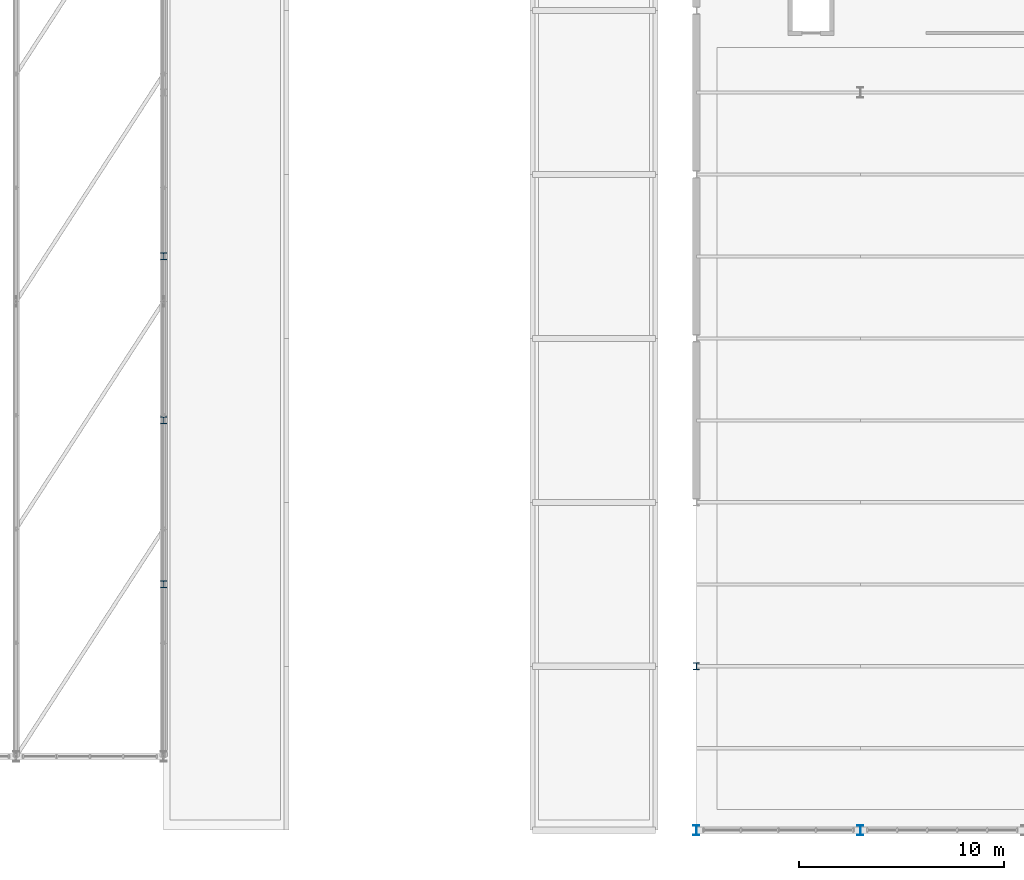
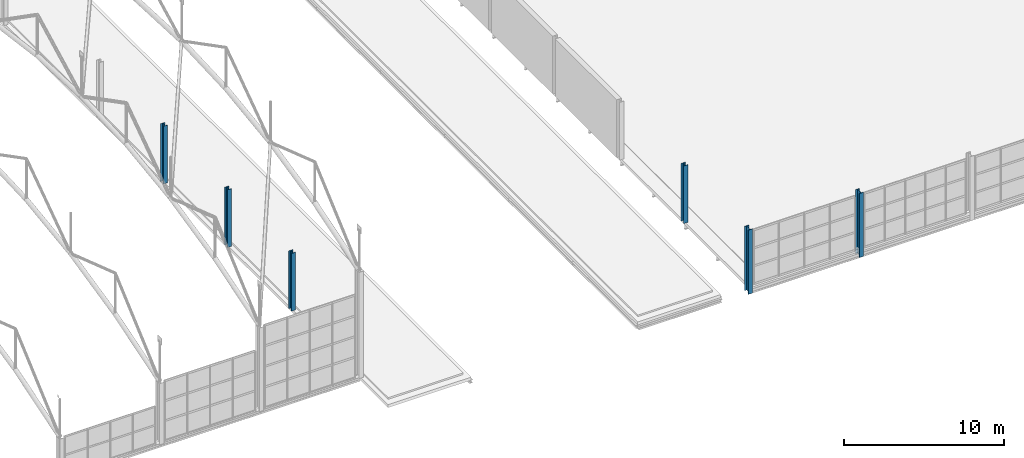
# One storey, part 5 of 153: 6 columns.
"""IFC4 building model written with IfcOpenShell, lengths in metres."""

from ifc_helpers import new_model, si_unit, derived_unit, direction, frame, origin, origin_2d, place, context, subcontext, project, spatial, i_section, extrude, material, material_profile, profile_set, type_object, element, save


model = new_model("IFC4")

# Units and contexts
model_context = context("Model", 3, precision=1e-05, world=origin(), true_north=direction((0.0, 1.0)))
body_context = subcontext(model_context, "Body", "Model", "MODEL_VIEW")
ifc_project = project(units=[si_unit("LENGTHUNIT", "METRE"), si_unit("AREAUNIT", "SQUARE_METRE"), si_unit("VOLUMEUNIT", "CUBIC_METRE"), si_unit("PLANEANGLEUNIT", "RADIAN"), si_unit("MASSUNIT", "GRAM", prefix="KILO"), derived_unit("THERMALTRANSMITTANCEUNIT", [(si_unit("POWERUNIT", "WATT"), 1), (si_unit("LENGTHUNIT", "METRE"), -2), (si_unit("THERMODYNAMICTEMPERATUREUNIT", "KELVIN"), -1)])], contexts=[model_context])

# Site, building, storey
site_placement = place(None, origin())
site = spatial("IfcSite", under=ifc_project, at=site_placement, CompositionType="ELEMENT")
building_placement = place(site_placement, origin())
building = spatial("IfcBuilding", under=site, at=building_placement, Name="Keldorne Ridge Multi-Sports Centre", CompositionType="ELEMENT")
storey_placement = place(building_placement, frame((0.0, 0.0, 9.60009765625)))
storey = spatial("IfcBuildingStorey", under=building, at=storey_placement, Name="L02", CompositionType="ELEMENT", Elevation=9.60009765625)

# Columns
ifc_material = material(Name="Steel S355", Category="steel")
ifc_material_profile_1 = material_profile(ifc_material, i_section(OverallWidth=0.300048828125, OverallDepth=0.5, WebThickness=0.014404296875, FlangeThickness=0.028076171875, FilletRadius=0.027099609375, at=origin_2d()), Name="HEB 500")
ifc_profile_set_1 = profile_set([ifc_material_profile_1], Name="Steel S355")
column_type_1 = type_object("IfcColumnType", Name="COL-C-05", PredefinedType="COLUMN", material=ifc_profile_set_1)
for number, where, z_axis, x_axis, name in (
    (1, (104.0, 6.0, -0.489990234375), (0.0, 0.0, 1.0), (1.0, 0.0, 0.0), "Structural column V2-TRUSS-S-01 on L02"),
    (2, (112.0, 6.0, -0.489990234375), (0.0, 0.0, 1.0), (1.0, 0.0, 0.0), "Structural column V2-TRUSS-S-02 on L02"),
):
    element("IfcColumn", number, at=place(storey_placement, frame(where, z_axis=z_axis, x_axis=x_axis)), inside=storey, type_object=column_type_1, Name=name, PredefinedType="COLUMN", context=body_context, shape_type="SweptSolid", body=[
        extrude(i_section(OverallWidth=0.300048828125, OverallDepth=0.5, WebThickness=0.014404296875, FlangeThickness=0.028076171875, FilletRadius=0.027099609375, at=origin_2d()), origin(), (0.0, 0.0, 1.0), 4.889892578125),
    ])
ifc_material_profile_2 = material_profile(ifc_material, i_section(OverallWidth=0.300048828125, OverallDepth=0.340087890625, WebThickness=0.011962890625, FlangeThickness=0.021484375, FilletRadius=0.027099609375, at=origin_2d()), Name="HEB 340")
ifc_profile_set_2 = profile_set([ifc_material_profile_2], Name="Steel S355")
column_type_2 = type_object("IfcColumnType", Name="COL-C-11", PredefinedType="COLUMN", material=ifc_profile_set_2)
for number, where, z_axis, x_axis, name in (
    (3, (78.0, 18.0, 0.0), (0.0, 0.0, 1.0), (1.0, 0.0, 0.0), "Structural column V1-GABLE-E-01 on L02"),
    (4, (78.0, 26.0, 0.0), (0.0, 0.0, 1.0), (1.0, 0.0, 0.0), "Structural column V1-GABLE-E-02 on L02"),
    (5, (78.0, 34.0, 0.0), (0.0, 0.0, 1.0), (1.0, 0.0, 0.0), "Structural column V1-GABLE-E-03 on L02"),
    (6, (104.0, 14.0, 0.0), (0.0, 0.0, 1.0), (1.0, 0.0, 0.0), "Structural column V2-GABLE-W-01 on L02"),
):
    element("IfcColumn", number, at=place(storey_placement, frame(where, z_axis=z_axis, x_axis=x_axis)), inside=storey, type_object=column_type_2, Name=name, PredefinedType="COLUMN", context=body_context, shape_type="SweptSolid", body=[
        extrude(i_section(OverallWidth=0.300048828125, OverallDepth=0.340087890625, WebThickness=0.011962890625, FlangeThickness=0.021484375, FilletRadius=0.027099609375, at=origin_2d()), origin(), (0.0, 0.0, 1.0), 4.39990234375),
    ])

save(model, "model.ifc")
